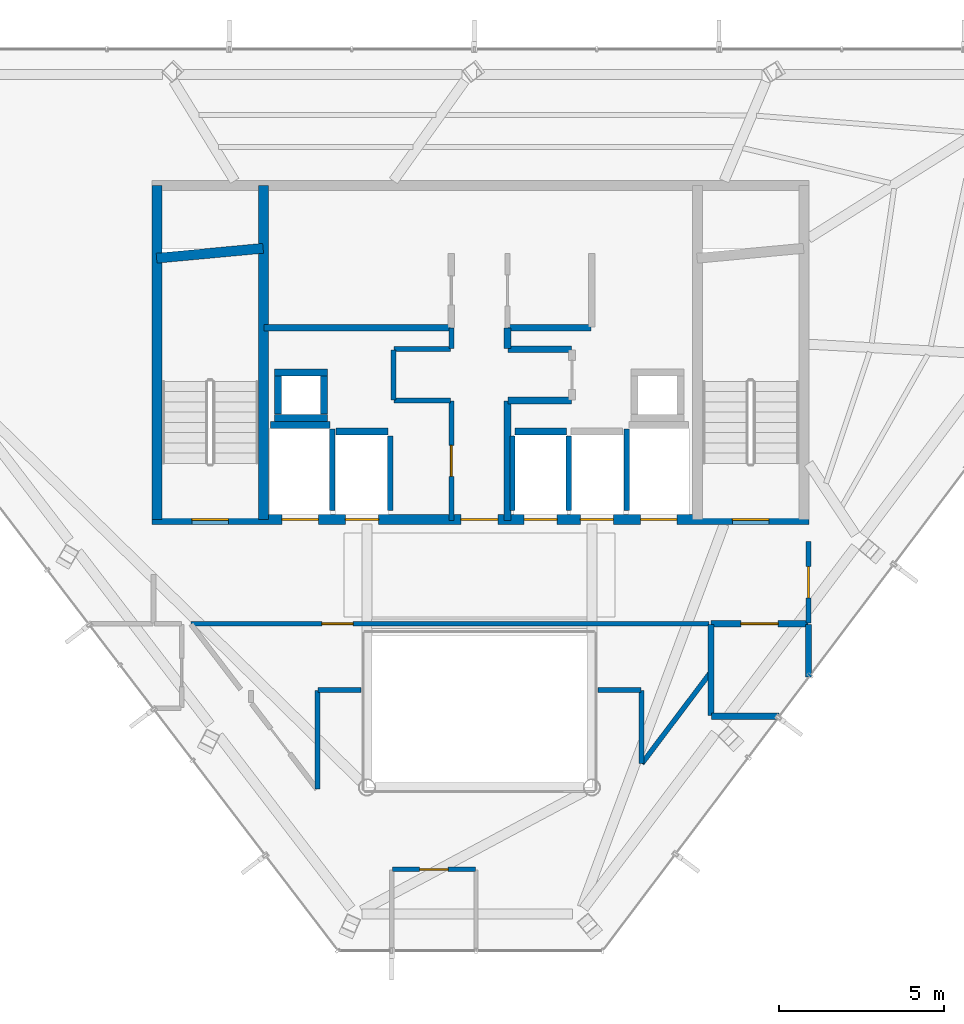
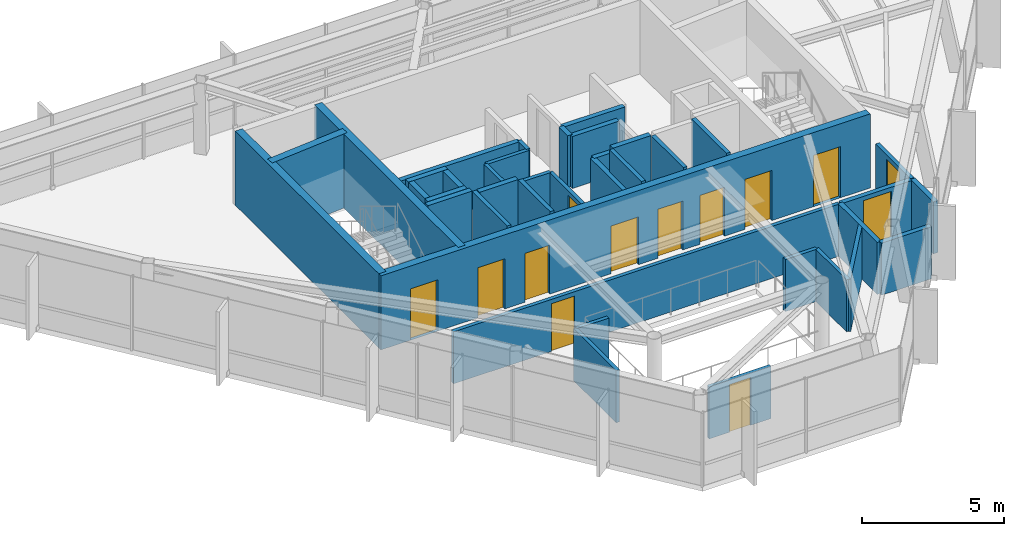
# One storey, part 20 of 22: 39 walls, 13 doors, 13 openings.
"""IFC4 building model written with IfcOpenShell, lengths in metres."""

from ifc_helpers import new_model, si_unit, direction, frame, frame_2d, origin, place, context, subcontext, project, spatial, rectangle, extrude, material, layer, layer_set, type_object, element, fill, save


model = new_model("IFC4")

# Units and contexts
model_context = context("Model", 3, precision=1e-05, world=origin(), true_north=direction((0.0, 1.0)))
body_context = subcontext(model_context, "Body", "Model", "MODEL_VIEW")
ifc_project = project(units=[si_unit("LENGTHUNIT", "METRE"), si_unit("AREAUNIT", "SQUARE_METRE"), si_unit("VOLUMEUNIT", "CUBIC_METRE"), si_unit("PLANEANGLEUNIT", "RADIAN"), si_unit("MASSUNIT", "GRAM", prefix="KILO")], contexts=[model_context])

# Site, building, storey
site_placement = place(None, origin())
site = spatial("IfcSite", under=ifc_project, at=site_placement, CompositionType="ELEMENT")
building_placement = place(site_placement, origin())
building = spatial("IfcBuilding", under=site, at=building_placement, Name="Zarrinselat Tower", CompositionType="ELEMENT")
storey_placement = place(building_placement, frame((0.0, 0.0, 295.800048828125)))
storey = spatial("IfcBuildingStorey", under=building, at=storey_placement, Name="L76", CompositionType="ELEMENT", Elevation=295.800048828125)

# Wall, opening, door
ifc_material_1 = material(Name="Concrete C40/50", Category="concrete")
ifc_layer_1 = layer(ifc_material_1, 0.18994140625)
ifc_layer_set_1 = layer_set([ifc_layer_1], Name="Concrete C40/50")
wall_type_1 = type_object("IfcWallType", Name="WAL-PART-EI120", PredefinedType="PARTITIONING", material=ifc_layer_set_1)
wall_1_placement = place(storey_placement, frame((45.405029296875, 30.14990234375, 0.0), z_axis=(0.0, 0.0, 1.0), x_axis=(1.0, 0.0, 0.0)))
wall_1 = element("IfcWall", 1, at=wall_1_placement, inside=storey, type_object=wall_type_1, Name="L76 Partition Wall 16", PredefinedType="PARTITIONING", context=body_context, shape_type="SweptSolid", body=[
    extrude(rectangle(XDim=2.925048828125, YDim=0.18994140625, at=frame_2d((1.46240234375, 0.0))), origin(), (0.0, 0.0, 1.0), 2.23486328125),
])
opening_1_placement = place(wall_1_placement, frame((0.902587890625, 0.0, 0.0)))
opening_1 = element("IfcOpeningElement", 2, at=opening_1_placement, cuts=wall_1, Name="Opening ID-02", PredefinedType="OPENING", context=body_context, shape_type="SweptSolid", body=[
    extrude(rectangle(XDim=1.1201171875, YDim=2.050048828125, at=frame_2d((0.56005859375, 1.02490234375))), frame((0.0, 0.10498046875, 0.0), z_axis=(0.0, -1.0, 0.0), x_axis=(1.0, 0.0, 0.0)), (0.0, 0.0, 1.0), 0.2099609375),
])
ifc_material_2 = material(Name="Steel S355J2", Category="steel")
door_type_1 = type_object("IfcDoorType", Name="DR-INT-FD60-W", OperationType="NOTDEFINED", PredefinedType="DOOR", material=ifc_material_2)
door_1_placement = place(opening_1_placement, origin())
door_1 = element("IfcDoor", 3, at=door_1_placement, inside=storey, type_object=door_type_1, Name="L76 Interior Door P16", OperationType="SINGLE_SWING_RIGHT", OverallHeight=2.050048828125, OverallWidth=1.1201171875, PredefinedType="DOOR", context=body_context, shape_type="SweptSolid", body=[
    extrude(rectangle(XDim=1.1201171875, YDim=2.050048828125, at=frame_2d((0.56005859375, 1.02490234375))), frame((0.0, 0.02490234375, 0.0), z_axis=(0.0, -1.0, 0.0), x_axis=(1.0, 0.0, 0.0)), (0.0, 0.0, 1.0), 0.050048828125),
])
fill(opening_1, door_1)

# Walls
wall_2_placement = place(storey_placement, frame((45.39990234375, 27.3701171875, 0.0), z_axis=(0.0, 0.0, 1.0), x_axis=(0.0, 1.0, 0.0)))
element("IfcWall", 4, at=wall_2_placement, inside=storey, type_object=wall_type_1, Name="L76 Partition Wall 21", PredefinedType="PARTITIONING", context=body_context, shape_type="SweptSolid", body=[
    extrude(rectangle(XDim=2.759765625, YDim=0.18994140625, at=frame_2d((1.3798828125, 0.0))), origin(), (0.0, 0.0, 1.0), 2.23486328125),
])
wall_3_placement = place(storey_placement, frame((45.419921875, 27.35009765625, 0.0), z_axis=(0.0, 0.0, 1.0), x_axis=(1.0, 0.0, 0.0)))
element("IfcWall", 5, at=wall_3_placement, inside=storey, type_object=wall_type_1, Name="L76 Partition Wall 22", PredefinedType="PARTITIONING", context=body_context, shape_type="SweptSolid", body=[
    extrude(rectangle(XDim=2.032470703125, YDim=0.18994140625, at=frame_2d((1.01611328125, 0.0))), origin(), (0.0, 0.0, 1.0), 2.23486328125),
])
wall_4_placement = place(storey_placement, frame((48.35009765625, 28.53662109375, 0.0), z_axis=(0.0, 0.0, 1.0), x_axis=(0.0, 1.0, 0.0)))
element("IfcWall", 6, at=wall_4_placement, inside=storey, type_object=wall_type_1, Name="L76 Partition Wall 23", PredefinedType="PARTITIONING", context=body_context, shape_type="SweptSolid", body=[
    extrude(rectangle(XDim=1.59326171875, YDim=0.18994140625, at=frame_2d((0.796630859375, 0.0))), origin(), (0.0, 0.0, 1.0), 2.23486328125),
])

# Wall, opening, door
ifc_material_3 = material(Name="Fire-Rated Gypsum Board Partition", Category="gypsum")
ifc_layer_2 = layer(ifc_material_3, 0.14990234375)
ifc_layer_set_2 = layer_set([ifc_layer_2], Name="Fire-Rated Gypsum Board Partition")
wall_type_2 = type_object("IfcWallType", Name="WAL-PART-EI60", PredefinedType="PARTITIONING", material=ifc_layer_set_2)
wall_5_placement = place(storey_placement, frame((37.550048828125, 33.264892578125, 0.0), z_axis=(0.0, 0.0, 1.0), x_axis=(0.0, 1.0, 0.0)))
wall_5 = element("IfcWall", 7, at=wall_5_placement, inside=storey, type_object=wall_type_2, Name="L76 Partition Wall 1", PredefinedType="PARTITIONING", context=body_context, shape_type="SweptSolid", body=[
    extrude(rectangle(XDim=3.614990234375, YDim=0.14990234375, at=frame_2d((1.8076171875, 0.0))), origin(), (0.0, 0.0, 1.0), 2.23486328125),
])
opening_2_placement = place(wall_5_placement, frame((1.33740234375, 0.0, 0.0)))
opening_2 = element("IfcOpeningElement", 8, at=opening_2_placement, cuts=wall_5, Name="Opening ID-04", PredefinedType="OPENING", context=body_context, shape_type="SweptSolid", body=[
    extrude(rectangle(XDim=0.93994140625, YDim=2.050048828125, at=frame_2d((0.469970703125, 1.02490234375))), frame((0.0, 0.0849609375, 0.0), z_axis=(0.0, -1.0, 0.0), x_axis=(1.0, 0.0, 0.0)), (0.0, 0.0, 1.0), 0.169921875),
])
ifc_material_4 = material(Name="Fire-Rated Gypsum Board Partition")
door_type_2 = type_object("IfcDoorType", Name="DR-INT-FD30-ENT", OperationType="NOTDEFINED", PredefinedType="DOOR", material=ifc_material_4)
door_2_placement = place(opening_2_placement, origin())
door_2 = element("IfcDoor", 9, at=door_2_placement, inside=storey, type_object=door_type_2, Name="L76 Interior Door P1", OperationType="SINGLE_SWING_RIGHT", OverallHeight=2.050048828125, OverallWidth=0.93994140625, PredefinedType="DOOR", context=body_context, shape_type="SweptSolid", body=[
    extrude(rectangle(XDim=0.93994140625, YDim=2.050048828125, at=frame_2d((0.469970703125, 1.02490234375))), frame((0.0, 0.02490234375, 0.0), z_axis=(0.0, -1.0, 0.0), x_axis=(1.0, 0.0, 0.0)), (0.0, 0.0, 1.0), 0.050048828125),
])
fill(opening_2, door_2)

# Walls
wall_6_placement = place(storey_placement, frame((35.820068359375, 36.89990234375, 0.0), z_axis=(0.0, 0.0, 1.0), x_axis=(1.0, 0.0, 0.0)))
element("IfcWall", 10, at=wall_6_placement, inside=storey, type_object=wall_type_2, Name="L76 Partition Wall 2", PredefinedType="PARTITIONING", context=body_context, shape_type="SweptSolid", body=[
    extrude(rectangle(XDim=1.7099609375, YDim=0.14990234375, at=frame_2d((0.85498046875, 0.0))), origin(), (0.0, 0.0, 1.0), 2.23486328125),
])
wall_7_placement = place(storey_placement, frame((35.800048828125, 36.919921875, 0.0), z_axis=(0.0, 0.0, 1.0), x_axis=(0.0, 1.0, 0.0)))
element("IfcWall", 11, at=wall_7_placement, inside=storey, type_object=wall_type_2, Name="L76 Partition Wall 3", PredefinedType="PARTITIONING", context=body_context, shape_type="SweptSolid", body=[
    extrude(rectangle(XDim=1.510009765625, YDim=0.14990234375, at=frame_2d((0.7548828125, 0.0))), origin(), (0.0, 0.0, 1.0), 2.23486328125),
])
wall_8_placement = place(storey_placement, frame((35.820068359375, 38.449951171875, 0.0), z_axis=(0.0, 0.0, 1.0), x_axis=(1.0, 0.0, 0.0)))
element("IfcWall", 12, at=wall_8_placement, inside=storey, type_object=wall_type_2, Name="L76 Partition Wall 4", PredefinedType="PARTITIONING", context=body_context, shape_type="SweptSolid", body=[
    extrude(rectangle(XDim=1.7099609375, YDim=0.14990234375, at=frame_2d((0.85498046875, 0.0))), origin(), (0.0, 0.0, 1.0), 2.23486328125),
])
wall_9_placement = place(storey_placement, frame((37.550048828125, 38.469970703125, 0.0), z_axis=(0.0, 0.0, 1.0), x_axis=(0.0, 1.0, 0.0)))
element("IfcWall", 13, at=wall_9_placement, inside=storey, type_object=wall_type_2, Name="L76 Partition Wall 5", PredefinedType="PARTITIONING", context=body_context, shape_type="SweptSolid", body=[
    extrude(rectangle(XDim=0.625, YDim=0.14990234375, at=frame_2d((0.3125, 0.0))), origin(), (0.0, 0.0, 1.0), 2.23486328125),
])

# Wall, opening, door
wall_10_placement = place(storey_placement, frame((29.674560546875, 30.14990234375, 0.0), z_axis=(0.0, 0.0, 1.0), x_axis=(1.0, 0.0, 0.0)))
wall_10 = element("IfcWall", 14, at=wall_10_placement, inside=storey, type_object=wall_type_2, Name="L76 Partition Wall 17", PredefinedType="PARTITIONING", context=body_context, shape_type="SweptSolid", body=[
    extrude(rectangle(XDim=15.67041015625, YDim=0.14990234375, at=frame_2d((7.835205078125, 0.0))), origin(), (0.0, 0.0, 1.0), 2.23486328125),
])
opening_3_placement = place(wall_10_placement, frame((3.965087890625, 0.0, 0.0)))
opening_3 = element("IfcOpeningElement", 15, at=opening_3_placement, cuts=wall_10, Name="Opening ID-04", PredefinedType="OPENING", context=body_context, shape_type="SweptSolid", body=[
    extrude(rectangle(XDim=0.93994140625, YDim=2.050048828125, at=frame_2d((0.469970703125, 1.02490234375))), frame((0.0, 0.0849609375, 0.0), z_axis=(0.0, -1.0, 0.0), x_axis=(1.0, 0.0, 0.0)), (0.0, 0.0, 1.0), 0.169921875),
])
door_3_placement = place(opening_3_placement, origin())
door_3 = element("IfcDoor", 16, at=door_3_placement, inside=storey, type_object=door_type_2, Name="L76 Interior Door P17", OperationType="SINGLE_SWING_LEFT", OverallHeight=2.050048828125, OverallWidth=0.93994140625, PredefinedType="DOOR", context=body_context, shape_type="SweptSolid", body=[
    extrude(rectangle(XDim=0.93994140625, YDim=2.050048828125, at=frame_2d((0.469970703125, 1.02490234375))), frame((0.0, 0.02490234375, 0.0), z_axis=(0.0, -1.0, 0.0), x_axis=(1.0, 0.0, 0.0)), (0.0, 0.0, 1.0), 0.050048828125),
])
fill(opening_3, door_3)

wall_11_placement = place(storey_placement, frame((48.35009765625, 30.169921875, 0.0), z_axis=(0.0, 0.0, 1.0), x_axis=(0.0, 1.0, 0.0)))
wall_11 = element("IfcWall", 17, at=wall_11_placement, inside=storey, type_object=wall_type_2, Name="L76 Partition Wall 20", PredefinedType="PARTITIONING", context=body_context, shape_type="SweptSolid", body=[
    extrude(rectangle(XDim=2.46533203125, YDim=0.14990234375, at=frame_2d((1.232666015625, 0.0))), origin(), (0.0, 0.0, 1.0), 2.23486328125),
])
opening_4_placement = place(wall_11_placement, frame((0.7626953125, 0.0, 0.0)))
opening_4 = element("IfcOpeningElement", 18, at=opening_4_placement, cuts=wall_11, Name="Opening ID-04", PredefinedType="OPENING", context=body_context, shape_type="SweptSolid", body=[
    extrude(rectangle(XDim=0.93994140625, YDim=2.050048828125, at=frame_2d((0.469970703125, 1.02490234375))), frame((0.0, 0.0849609375, 0.0), z_axis=(0.0, -1.0, 0.0), x_axis=(1.0, 0.0, 0.0)), (0.0, 0.0, 1.0), 0.169921875),
])
door_4_placement = place(opening_4_placement, origin())
door_4 = element("IfcDoor", 19, at=door_4_placement, inside=storey, type_object=door_type_2, Name="L76 Interior Door P20", OperationType="SINGLE_SWING_RIGHT", OverallHeight=2.050048828125, OverallWidth=0.93994140625, PredefinedType="DOOR", context=body_context, shape_type="SweptSolid", body=[
    extrude(rectangle(XDim=0.93994140625, YDim=2.050048828125, at=frame_2d((0.469970703125, 1.02490234375))), frame((0.0, 0.02490234375, 0.0), z_axis=(0.0, -1.0, 0.0), x_axis=(1.0, 0.0, 0.0)), (0.0, 0.0, 1.0), 0.050048828125),
])
fill(opening_4, door_4)

# Walls
wall_12_placement = place(storey_placement, frame((43.31201171875, 25.92236328125, 0.0), z_axis=(0.0, 0.0, 1.0), x_axis=(0.60171699977, 0.798709366533, 0.0)))
element("IfcWall", 20, at=wall_12_placement, inside=storey, type_object=wall_type_2, Name="L76 Partition Wall 24", PredefinedType="PARTITIONING", context=body_context, shape_type="SweptSolid", body=[
    extrude(rectangle(XDim=3.455322265625, YDim=0.14990234375, at=frame_2d((1.7275390625, 0.0))), origin(), (0.0, 0.0, 1.0), 2.23486328125),
])
wall_13_placement = place(storey_placement, frame((43.300048828125, 25.92626953125, 0.0), z_axis=(0.0, 0.0, 1.0), x_axis=(0.0, 1.0, 0.0)))
element("IfcWall", 21, at=wall_13_placement, inside=storey, type_object=wall_type_2, Name="L76 Partition Wall 25", PredefinedType="PARTITIONING", context=body_context, shape_type="SweptSolid", body=[
    extrude(rectangle(XDim=2.20361328125, YDim=0.14990234375, at=frame_2d((1.101806640625, 0.0))), origin(), (0.0, 0.0, 1.0), 2.23486328125),
])
for number, where, z_axis, x_axis, name in (
    (22, (41.97998046875, 28.14990234375, 0.0), (0.0, 0.0, 1.0), (1.0, 0.0, 0.0), "L76 Partition Wall 26"),
    (23, (33.52001953125, 28.14990234375, 0.0), (0.0, 0.0, 1.0), (1.0, 0.0, 0.0), "L76 Partition Wall 27"),
):
    element("IfcWall", number, at=place(storey_placement, frame(where, z_axis=z_axis, x_axis=x_axis)), inside=storey, type_object=wall_type_2, Name=name, PredefinedType="PARTITIONING", context=body_context, shape_type="SweptSolid", body=[
        extrude(rectangle(XDim=1.300048828125, YDim=0.14990234375, at=frame_2d((0.64990234375, 0.0))), origin(), (0.0, 0.0, 1.0), 2.23486328125),
    ])
wall_14_placement = place(storey_placement, frame((33.5, 25.152587890625, 0.0), z_axis=(0.0, 0.0, 1.0), x_axis=(0.0, 1.0, 0.0)))
element("IfcWall", 24, at=wall_14_placement, inside=storey, type_object=wall_type_2, Name="L76 Partition Wall 28", PredefinedType="PARTITIONING", context=body_context, shape_type="SweptSolid", body=[
    extrude(rectangle(XDim=2.977294921875, YDim=0.14990234375, at=frame_2d((1.48876953125, 0.0))), origin(), (0.0, 0.0, 1.0), 2.23486328125),
])
ifc_material_5 = material(Name="Concrete C40/50", Category="concrete")
ifc_layer_3 = layer(ifc_material_5, 0.199951171875)
ifc_layer_set_3 = layer_set([ifc_layer_3], Name="Concrete C40/50")
wall_type_3 = type_object("IfcWallType", Name="WAL-PART-PLANT", PredefinedType="PARTITIONING", material=ifc_layer_set_3)
wall_15_placement = place(storey_placement, frame((39.25, 38.469970703125, 0.0), z_axis=(0.0, 0.0, 1.0), x_axis=(0.0, 1.0, 0.0)))
element("IfcWall", 25, at=wall_15_placement, inside=storey, type_object=wall_type_3, Name="L76 Partition Wall 7", PredefinedType="PARTITIONING", context=body_context, shape_type="SweptSolid", body=[
    extrude(rectangle(XDim=0.625, YDim=0.199951171875, at=frame_2d((0.3125, 0.0))), origin(), (0.0, 0.0, 1.0), 2.23486328125),
])
for number, where, z_axis, x_axis, name in (
    (26, (39.27001953125, 38.449951171875, 0.0), (0.0, 0.0, 1.0), (1.0, 0.0, 0.0), "L76 Partition Wall 8"),
    (27, (39.27001953125, 36.89990234375, 0.0), (0.0, 0.0, 1.0), (1.0, 0.0, 0.0), "L76 Partition Wall 10"),
):
    element("IfcWall", number, at=place(storey_placement, frame(where, z_axis=z_axis, x_axis=x_axis)), inside=storey, type_object=wall_type_3, Name=name, PredefinedType="PARTITIONING", context=body_context, shape_type="SweptSolid", body=[
        extrude(rectangle(XDim=1.909912109375, YDim=0.199951171875, at=frame_2d((0.955078125, 0.0))), origin(), (0.0, 0.0, 1.0), 2.23486328125),
    ])
wall_16_placement = place(storey_placement, frame((39.25, 33.264892578125, 0.0), z_axis=(0.0, 0.0, 1.0), x_axis=(0.0, 1.0, 0.0)))
element("IfcWall", 28, at=wall_16_placement, inside=storey, type_object=wall_type_3, Name="L76 Partition Wall 11", PredefinedType="PARTITIONING", context=body_context, shape_type="SweptSolid", body=[
    extrude(rectangle(XDim=3.614990234375, YDim=0.199951171875, at=frame_2d((1.8076171875, 0.0))), origin(), (0.0, 0.0, 1.0), 2.23486328125),
])
wall_17_placement = place(storey_placement, frame((31.885009765625, 39.10009765625, 0.0), z_axis=(0.0, 0.0, 1.0), x_axis=(1.0, 0.0, 0.0)))
element("IfcWall", 29, at=wall_17_placement, inside=storey, type_object=wall_type_3, Name="L76 Partition Wall 13", PredefinedType="PARTITIONING", context=body_context, shape_type="SweptSolid", body=[
    extrude(rectangle(XDim=5.64501953125, YDim=0.199951171875, at=frame_2d((2.822509765625, 0.0))), origin(), (0.0, 0.0, 1.0), 2.23486328125),
])
wall_18_placement = place(storey_placement, frame((39.27001953125, 39.10009765625, 0.0), z_axis=(0.0, 0.0, 1.0), x_axis=(1.0, 0.0, 0.0)))
element("IfcWall", 30, at=wall_18_placement, inside=storey, type_object=wall_type_3, Name="L76 Partition Wall 14", PredefinedType="PARTITIONING", context=body_context, shape_type="SweptSolid", body=[
    extrude(rectangle(XDim=2.510009765625, YDim=0.199951171875, at=frame_2d((1.2548828125, 0.0))), origin(), (0.0, 0.0, 1.0), 2.23486328125),
])

# Wall, opening, door
ifc_material_6 = material(Name="Fire-Rated Gypsum Board Partition", Category="gypsum")
ifc_layer_4 = layer(ifc_material_6, 0.135009765625)
ifc_layer_set_4 = layer_set([ifc_layer_4], Name="Fire-Rated Gypsum Board Partition")
wall_type_4 = type_object("IfcWallType", Name="WAL-PART-WET", PredefinedType="PARTITIONING", material=ifc_layer_set_4)
wall_19_placement = place(storey_placement, frame((35.76611328125, 22.72412109375, 0.0), z_axis=(0.0, 0.0, 1.0), x_axis=(1.0, 0.0, 0.0)))
wall_19 = element("IfcWall", 31, at=wall_19_placement, inside=storey, type_object=wall_type_4, Name="L76 Partition Wall 35", PredefinedType="PARTITIONING", context=body_context, shape_type="SweptSolid", body=[
    extrude(rectangle(XDim=2.510009765625, YDim=0.135009765625, at=frame_2d((1.2548828125, 0.0))), origin(), (0.0, 0.0, 1.0), 2.23486328125),
])
opening_5_placement = place(wall_19_placement, frame((0.824951171875, 0.0, 0.0)))
opening_5 = element("IfcOpeningElement", 32, at=opening_5_placement, cuts=wall_19, Name="Opening ID-06", PredefinedType="OPENING", context=body_context, shape_type="SweptSolid", body=[
    extrude(rectangle(XDim=0.860107421875, YDim=2.050048828125, at=frame_2d((0.43017578125, 1.02490234375))), frame((0.0, 0.077392578125, 0.0), z_axis=(0.0, -1.0, 0.0), x_axis=(1.0, 0.0, 0.0)), (0.0, 0.0, 1.0), 0.155029296875),
])
ifc_material_7 = material(Name="Extruded Aluminium Alloy EN AW-6063 T6", Category="aluminium")
door_type_3 = type_object("IfcDoorType", Name="DR-INT-WET-900", OperationType="NOTDEFINED", PredefinedType="DOOR", material=ifc_material_7)
door_5_placement = place(opening_5_placement, origin())
door_5 = element("IfcDoor", 33, at=door_5_placement, inside=storey, type_object=door_type_3, Name="L76 Interior Door P35", OperationType="SINGLE_SWING_LEFT", OverallHeight=2.050048828125, OverallWidth=0.860107421875, PredefinedType="DOOR", context=body_context, shape_type="SweptSolid", body=[
    extrude(rectangle(XDim=0.860107421875, YDim=2.050048828125, at=frame_2d((0.43017578125, 1.02490234375))), frame((0.0, 0.02490234375, 0.0), z_axis=(0.0, -1.0, 0.0), x_axis=(1.0, 0.0, 0.0)), (0.0, 0.0, 1.0), 0.050048828125),
])
fill(opening_5, door_5)

# Walls
ifc_material_8 = material(Name="Concrete C40/50", Category="concrete")
ifc_layer_5 = layer(ifc_material_8, 0.2099609375)
ifc_layer_set_5 = layer_set([ifc_layer_5], Name="Concrete C40/50")
wall_type_5 = type_object("IfcWallType", Name="WAL-SHAFT-210", PredefinedType="SOLIDWALL", material=ifc_layer_set_5)
wall_20_placement = place(storey_placement, frame((32.080078125, 36.155029296875, 0.0), z_axis=(0.0, 0.0, 1.0), x_axis=(1.0, 0.0, 0.0)))
element("IfcWall", 34, at=wall_20_placement, inside=storey, type_object=wall_type_5, Name="L76 Lift FFL1 North Shaft Wall", PredefinedType="SOLIDWALL", context=body_context, shape_type="SweptSolid", body=[
    extrude(rectangle(XDim=1.7998046875, YDim=0.2099609375, at=frame_2d((0.89990234375, 0.0))), origin(), (0.0, 0.0, 1.0), 3.179931640625),
])
for number, where, z_axis, x_axis, name in (
    (35, (33.949951171875, 33.580078125, 0.0), (0.0, 0.0, 1.0), (0.0, 1.0, 0.0), "L76 Lift FFL1 E Shaft Wall"),
    (36, (42.85009765625, 33.580078125, 0.0), (0.0, 0.0, 1.0), (0.0, 1.0, 0.0), "L76 Lift FFL2 W Shaft Wall"),
):
    element("IfcWall", number, at=place(storey_placement, frame(where, z_axis=z_axis, x_axis=x_axis)), inside=storey, type_object=wall_type_5, Name=name, PredefinedType="SOLIDWALL", context=body_context, shape_type="SweptSolid", body=[
        extrude(rectangle(XDim=2.449951171875, YDim=0.159912109375, at=frame_2d((1.22509765625, 0.0))), origin(), (0.0, 0.0, 1.0), 3.179931640625),
    ])
wall_21_placement = place(storey_placement, frame((39.469970703125, 35.955078125, 0.0), z_axis=(0.0, 0.0, 1.0), x_axis=(1.0, 0.0, 0.0)))
element("IfcWall", 37, at=wall_21_placement, inside=storey, type_object=wall_type_5, Name="L76 Lift PL8 North Shaft Wall", PredefinedType="SOLIDWALL", context=body_context, shape_type="SweptSolid", body=[
    extrude(rectangle(XDim=1.56005859375, YDim=0.2099609375, at=frame_2d((0.780029296875, 0.0))), origin(), (0.0, 0.0, 1.0), 3.179931640625),
])
for number, where, z_axis, x_axis, name in (
    (38, (39.39990234375, 33.580078125, 0.0), (0.0, 0.0, 1.0), (0.0, 1.0, 0.0), "L76 Lift PL8 W Shaft Wall"),
    (39, (41.10009765625, 33.580078125, 0.0), (0.0, 0.0, 1.0), (0.0, 1.0, 0.0), "L76 Lift PL8 E Shaft Wall"),
):
    element("IfcWall", number, at=place(storey_placement, frame(where, z_axis=z_axis, x_axis=x_axis)), inside=storey, type_object=wall_type_5, Name=name, PredefinedType="SOLIDWALL", context=body_context, shape_type="SweptSolid", body=[
        extrude(rectangle(XDim=2.25, YDim=0.159912109375, at=frame_2d((1.125, 0.0))), origin(), (0.0, 0.0, 1.0), 3.179931640625),
    ])
wall_22_placement = place(storey_placement, frame((34.070068359375, 35.955078125, 0.0), z_axis=(0.0, 0.0, 1.0), x_axis=(1.0, 0.0, 0.0)))
element("IfcWall", 40, at=wall_22_placement, inside=storey, type_object=wall_type_5, Name="L76 Lift PL10 North Shaft Wall", PredefinedType="SOLIDWALL", context=body_context, shape_type="SweptSolid", body=[
    extrude(rectangle(XDim=1.559814453125, YDim=0.2099609375, at=frame_2d((0.77978515625, 0.0))), origin(), (0.0, 0.0, 1.0), 3.179931640625),
])
wall_23_placement = place(storey_placement, frame((35.699951171875, 33.580078125, 0.0), z_axis=(0.0, 0.0, 1.0), x_axis=(0.0, 1.0, 0.0)))
element("IfcWall", 41, at=wall_23_placement, inside=storey, type_object=wall_type_5, Name="L76 Lift PL10 E Shaft Wall", PredefinedType="SOLIDWALL", context=body_context, shape_type="SweptSolid", body=[
    extrude(rectangle(XDim=2.25, YDim=0.159912109375, at=frame_2d((1.125, 0.0))), origin(), (0.0, 0.0, 1.0), 3.179931640625),
])
for number, where, z_axis, x_axis, name in (
    (42, (32.2099609375, 36.375, 0.0), (0.0, 0.0, 1.0), (1.0, 0.0, 0.0), "L76 Core Riser RSR-W S Shaft Wall"),
    (43, (32.2099609375, 37.7451171875, 0.0), (0.0, 0.0, 1.0), (1.0, 0.0, 0.0), "L76 Core Riser RSR-W N Shaft Wall"),
):
    element("IfcWall", number, at=place(storey_placement, frame(where, z_axis=z_axis, x_axis=x_axis)), inside=storey, type_object=wall_type_5, Name=name, PredefinedType="SOLIDWALL", context=body_context, shape_type="SweptSolid", body=[
        extrude(rectangle(XDim=1.60009765625, YDim=0.2099609375, at=frame_2d((0.800048828125, 0.0))), origin(), (0.0, 0.0, 1.0), 3.179931640625),
    ])
for number, where, z_axis, x_axis, name in (
    (44, (32.31494140625, 36.485107421875, 0.0), (0.0, 0.0, 1.0), (0.0, 1.0, 0.0), "L76 Core Riser RSR-W W Shaft Wall"),
    (45, (33.705078125, 36.485107421875, 0.0), (0.0, 0.0, 1.0), (0.0, 1.0, 0.0), "L76 Core Riser RSR-W E Shaft Wall"),
):
    element("IfcWall", number, at=place(storey_placement, frame(where, z_axis=z_axis, x_axis=x_axis)), inside=storey, type_object=wall_type_5, Name=name, PredefinedType="SOLIDWALL", context=body_context, shape_type="SweptSolid", body=[
        extrude(rectangle(XDim=1.14990234375, YDim=0.2099609375, at=frame_2d((0.574951171875, 0.0))), origin(), (0.0, 0.0, 1.0), 3.179931640625),
    ])

# Wall, openings, doors
ifc_material_9 = material(Name="Concrete C40/50", Category="concrete")
ifc_layer_6 = layer(ifc_material_9, 0.300048828125)
ifc_layer_set_6 = layer_set([ifc_layer_6], Name="Concrete C40/50")
wall_type_6 = type_object("IfcWallType", Name="WAL-SHEAR-300", PredefinedType="SHEAR", material=ifc_layer_set_6)
wall_24_placement = place(storey_placement, frame((28.5, 33.300048828125, 0.0), z_axis=(0.0, 0.0, 1.0), x_axis=(1.0, 0.0, 0.0)))
wall_24 = element("IfcWall", 46, at=wall_24_placement, inside=storey, type_object=wall_type_6, Name="L76 South Core Shear Wall", PredefinedType="SHEAR", context=body_context, shape_type="SweptSolid", body=[
    extrude(rectangle(XDim=19.860107421875, YDim=0.300048828125, at=frame_2d((9.93017578125, 0.0))), origin(), (0.0, 0.0, 1.0), 3.179931640625),
])
opening_6_placement = place(wall_24_placement, frame((3.929931640625, 0.0, 0.0)))
opening_6 = element("IfcOpeningElement", 47, at=opening_6_placement, cuts=wall_24, Name="Opening LD-FFL1", PredefinedType="OPENING", context=body_context, shape_type="SweptSolid", body=[
    extrude(rectangle(XDim=1.10009765625, YDim=2.14990234375, at=frame_2d((0.550048828125, 1.074951171875))), frame((0.0, 0.159912109375, 0.0), z_axis=(0.0, -1.0, 0.0), x_axis=(1.0, 0.0, 0.0)), (0.0, 0.0, 1.0), 0.320068359375),
])
opening_7_placement = place(wall_24_placement, frame((14.77001953125, 0.0, 0.0)))
opening_7 = element("IfcOpeningElement", 48, at=opening_7_placement, cuts=wall_24, Name="Opening LD-FFL2", PredefinedType="OPENING", context=body_context, shape_type="SweptSolid", body=[
    extrude(rectangle(XDim=1.10009765625, YDim=2.14990234375, at=frame_2d((0.550048828125, 1.074951171875))), frame((0.0, 0.159912109375, 0.0), z_axis=(0.0, -1.0, 0.0), x_axis=(1.0, 0.0, 0.0)), (0.0, 0.0, 1.0), 0.320068359375),
])
opening_8_placement = place(wall_24_placement, frame((11.25, 0.0, 0.0)))
opening_8 = element("IfcOpeningElement", 49, at=opening_8_placement, cuts=wall_24, Name="Opening LD-PL8", PredefinedType="OPENING", context=body_context, shape_type="SweptSolid", body=[
    extrude(rectangle(XDim=1.0, YDim=2.10009765625, at=frame_2d((0.5, 1.050048828125))), frame((0.0, 0.159912109375, 0.0), z_axis=(0.0, -1.0, 0.0), x_axis=(1.0, 0.0, 0.0)), (0.0, 0.0, 1.0), 0.320068359375),
])
opening_9_placement = place(wall_24_placement, frame((12.949951171875, 0.0, 0.0)))
opening_9 = element("IfcOpeningElement", 50, at=opening_9_placement, cuts=wall_24, Name="Opening LD-PL9", PredefinedType="OPENING", context=body_context, shape_type="SweptSolid", body=[
    extrude(rectangle(XDim=1.0, YDim=2.10009765625, at=frame_2d((0.5, 1.050048828125))), frame((0.0, 0.159912109375, 0.0), z_axis=(0.0, -1.0, 0.0), x_axis=(1.0, 0.0, 0.0)), (0.0, 0.0, 1.0), 0.320068359375),
])
opening_10_placement = place(wall_24_placement, frame((5.85009765625, 0.0, 0.0)))
opening_10 = element("IfcOpeningElement", 51, at=opening_10_placement, cuts=wall_24, Name="Opening LD-PL10", PredefinedType="OPENING", context=body_context, shape_type="SweptSolid", body=[
    extrude(rectangle(XDim=1.0, YDim=2.10009765625, at=frame_2d((0.5, 1.050048828125))), frame((0.0, 0.159912109375, 0.0), z_axis=(0.0, -1.0, 0.0), x_axis=(1.0, 0.0, 0.0)), (0.0, 0.0, 1.0), 0.320068359375),
])
opening_11_placement = place(wall_24_placement, frame((1.2099609375, 0.0, 0.0)))
opening_11 = element("IfcOpeningElement", 52, at=opening_11_placement, cuts=wall_24, Name="Opening SD-01", PredefinedType="OPENING", context=body_context, shape_type="SweptSolid", body=[
    extrude(rectangle(XDim=1.10009765625, YDim=2.199951171875, at=frame_2d((0.550048828125, 1.10009765625))), frame((0.0, 0.159912109375, 0.0), z_axis=(0.0, -1.0, 0.0), x_axis=(1.0, 0.0, 0.0)), (0.0, 0.0, 1.0), 0.320068359375),
])
opening_12_placement = place(wall_24_placement, frame((9.340087890625, 0.0, 0.0)))
opening_12 = element("IfcOpeningElement", 53, at=opening_12_placement, cuts=wall_24, Name="Opening ID-02", PredefinedType="OPENING", context=body_context, shape_type="SweptSolid", body=[
    extrude(rectangle(XDim=1.1201171875, YDim=2.050048828125, at=frame_2d((0.56005859375, 1.02490234375))), frame((0.0, 0.159912109375, 0.0), z_axis=(0.0, -1.0, 0.0), x_axis=(1.0, 0.0, 0.0)), (0.0, 0.0, 1.0), 0.320068359375),
])
opening_13_placement = place(wall_24_placement, frame((17.550048828125, 0.0, 0.0)))
opening_13 = element("IfcOpeningElement", 54, at=opening_13_placement, cuts=wall_24, Name="Opening SD-01", PredefinedType="OPENING", context=body_context, shape_type="SweptSolid", body=[
    extrude(rectangle(XDim=1.10009765625, YDim=2.199951171875, at=frame_2d((0.550048828125, 1.10009765625))), frame((0.0, 0.159912109375, 0.0), z_axis=(0.0, -1.0, 0.0), x_axis=(1.0, 0.0, 0.0)), (0.0, 0.0, 1.0), 0.320068359375),
])
door_6_placement = place(opening_12_placement, origin())
door_6 = element("IfcDoor", 55, at=door_6_placement, inside=storey, type_object=door_type_1, Name="L76 Core Service Vestibule Fire Door", OperationType="SINGLE_SWING_RIGHT", OverallHeight=2.050048828125, OverallWidth=1.1201171875, PredefinedType="DOOR", context=body_context, shape_type="SweptSolid", body=[
    extrude(rectangle(XDim=1.1201171875, YDim=2.050048828125, at=frame_2d((0.56005859375, 1.02490234375))), frame((0.0, 0.02490234375, 0.0), z_axis=(0.0, -1.0, 0.0), x_axis=(1.0, 0.0, 0.0)), (0.0, 0.0, 1.0), 0.050048828125),
])
fill(opening_12, door_6)
ifc_material_10 = material(Name="Steel S355J2", Category="steel")
door_type_4 = type_object("IfcDoorType", Name="DR-LIFT-FF-1100", OperationType="NOTDEFINED", PredefinedType="DOOR", material=ifc_material_10)
door_7_placement = place(opening_6_placement, origin())
door_7 = element("IfcDoor", 56, at=door_7_placement, inside=storey, type_object=door_type_4, Name="L76 Lift FFL1 Sliding Landing Door", OperationType="SLIDING_TO_LEFT", OverallHeight=2.14990234375, OverallWidth=1.10009765625, PredefinedType="DOOR", context=body_context, shape_type="SweptSolid", body=[
    extrude(rectangle(XDim=1.10009765625, YDim=2.14990234375, at=frame_2d((0.550048828125, 1.074951171875))), frame((0.0, 0.02490234375, 0.0), z_axis=(0.0, -1.0, 0.0), x_axis=(1.0, 0.0, 0.0)), (0.0, 0.0, 1.0), 0.050048828125),
])
fill(opening_6, door_7)
door_8_placement = place(opening_7_placement, origin())
door_8 = element("IfcDoor", 57, at=door_8_placement, inside=storey, type_object=door_type_4, Name="L76 Lift FFL2 Sliding Landing Door", OperationType="SLIDING_TO_RIGHT", OverallHeight=2.14990234375, OverallWidth=1.10009765625, PredefinedType="DOOR", context=body_context, shape_type="SweptSolid", body=[
    extrude(rectangle(XDim=1.10009765625, YDim=2.14990234375, at=frame_2d((0.550048828125, 1.074951171875))), frame((0.0, 0.02490234375, 0.0), z_axis=(0.0, -1.0, 0.0), x_axis=(1.0, 0.0, 0.0)), (0.0, 0.0, 1.0), 0.050048828125),
])
fill(opening_7, door_8)
ifc_material_11 = material(Name="Steel S355J2", Category="steel")
door_type_5 = type_object("IfcDoorType", Name="DR-LIFT-PS-1000", OperationType="NOTDEFINED", PredefinedType="DOOR", material=ifc_material_11)
door_9_placement = place(opening_8_placement, origin())
door_9 = element("IfcDoor", 58, at=door_9_placement, inside=storey, type_object=door_type_5, Name="L76 Lift PL8 Sliding Landing Door", OperationType="SLIDING_TO_RIGHT", OverallHeight=2.10009765625, OverallWidth=1.0, PredefinedType="DOOR", context=body_context, shape_type="SweptSolid", body=[
    extrude(rectangle(XDim=1.0, YDim=2.10009765625, at=frame_2d((0.5, 1.050048828125))), frame((0.0, 0.02490234375, 0.0), z_axis=(0.0, -1.0, 0.0), x_axis=(1.0, 0.0, 0.0)), (0.0, 0.0, 1.0), 0.050048828125),
])
fill(opening_8, door_9)
door_10_placement = place(opening_9_placement, origin())
door_10 = element("IfcDoor", 59, at=door_10_placement, inside=storey, type_object=door_type_5, Name="L76 Lift PL9 Sliding Landing Door", OperationType="SLIDING_TO_LEFT", OverallHeight=2.10009765625, OverallWidth=1.0, PredefinedType="DOOR", context=body_context, shape_type="SweptSolid", body=[
    extrude(rectangle(XDim=1.0, YDim=2.10009765625, at=frame_2d((0.5, 1.050048828125))), frame((0.0, 0.02490234375, 0.0), z_axis=(0.0, -1.0, 0.0), x_axis=(1.0, 0.0, 0.0)), (0.0, 0.0, 1.0), 0.050048828125),
])
fill(opening_9, door_10)
door_11_placement = place(opening_10_placement, origin())
door_11 = element("IfcDoor", 60, at=door_11_placement, inside=storey, type_object=door_type_5, Name="L76 Lift PL10 Sliding Landing Door", OperationType="SLIDING_TO_RIGHT", OverallHeight=2.10009765625, OverallWidth=1.0, PredefinedType="DOOR", context=body_context, shape_type="SweptSolid", body=[
    extrude(rectangle(XDim=1.0, YDim=2.10009765625, at=frame_2d((0.5, 1.050048828125))), frame((0.0, 0.02490234375, 0.0), z_axis=(0.0, -1.0, 0.0), x_axis=(1.0, 0.0, 0.0)), (0.0, 0.0, 1.0), 0.050048828125),
])
fill(opening_10, door_11)
ifc_material_12 = material(Name="Steel S355J2", Category="steel")
door_type_6 = type_object("IfcDoorType", Name="DR-STAIR-1100", OperationType="NOTDEFINED", PredefinedType="DOOR", material=ifc_material_12)
door_12_placement = place(opening_11_placement, origin())
door_12 = element("IfcDoor", 61, at=door_12_placement, inside=storey, type_object=door_type_6, Name="L76 Exit Stair 1 Fire Door", OperationType="SINGLE_SWING_LEFT", OverallHeight=2.199951171875, OverallWidth=1.10009765625, PredefinedType="DOOR", context=body_context, shape_type="SweptSolid", body=[
    extrude(rectangle(XDim=1.10009765625, YDim=2.199951171875, at=frame_2d((0.550048828125, 1.10009765625))), frame((0.0, 0.02490234375, 0.0), z_axis=(0.0, -1.0, 0.0), x_axis=(1.0, 0.0, 0.0)), (0.0, 0.0, 1.0), 0.050048828125),
])
fill(opening_11, door_12)
door_13_placement = place(opening_13_placement, origin())
door_13 = element("IfcDoor", 62, at=door_13_placement, inside=storey, type_object=door_type_6, Name="L76 Exit Stair 2 Fire Door", OperationType="SINGLE_SWING_RIGHT", OverallHeight=2.199951171875, OverallWidth=1.10009765625, PredefinedType="DOOR", context=body_context, shape_type="SweptSolid", body=[
    extrude(rectangle(XDim=1.10009765625, YDim=2.199951171875, at=frame_2d((0.550048828125, 1.10009765625))), frame((0.0, 0.02490234375, 0.0), z_axis=(0.0, -1.0, 0.0), x_axis=(1.0, 0.0, 0.0)), (0.0, 0.0, 1.0), 0.050048828125),
])
fill(opening_13, door_13)

# Walls
for number, where, z_axis, x_axis, name in (
    (63, (28.64990234375, 33.300048828125, 0.0), (0.0, 0.0, 1.0), (0.0, 1.0, 0.0), "L76 Core Shear Wall W"),
    (64, (31.8701171875, 33.300048828125, 0.0), (0.0, 0.0, 1.0), (0.0, 1.0, 0.0), "L76 Core Shear Wall ST1E"),
):
    element("IfcWall", number, at=place(storey_placement, frame(where, z_axis=z_axis, x_axis=x_axis)), inside=storey, type_object=wall_type_6, Name=name, PredefinedType="SHEAR", context=body_context, shape_type="SweptSolid", body=[
        extrude(rectangle(XDim=10.099853515625, YDim=0.300048828125, at=frame_2d((5.0498046875, 0.0))), origin(), (0.0, 0.0, 1.0), 3.179931640625),
    ])
wall_25_placement = place(storey_placement, frame((28.639892578125, 41.199951171875, 0.0), z_axis=(0.0, 0.0, 1.0), x_axis=(0.995687118776, 0.092774789157, 0.0)))
element("IfcWall", 65, at=wall_25_placement, inside=storey, type_object=wall_type_6, Name="L76 Stair 1 North Shaft Wall", PredefinedType="SHEAR", context=body_context, shape_type="SweptSolid", body=[
    extrude(rectangle(XDim=3.234130859375, YDim=0.300048828125, at=frame_2d((1.6171875, 0.0))), origin(), (0.0, 0.0, 1.0), 3.179931640625),
])

save(model, "model.ifc")
